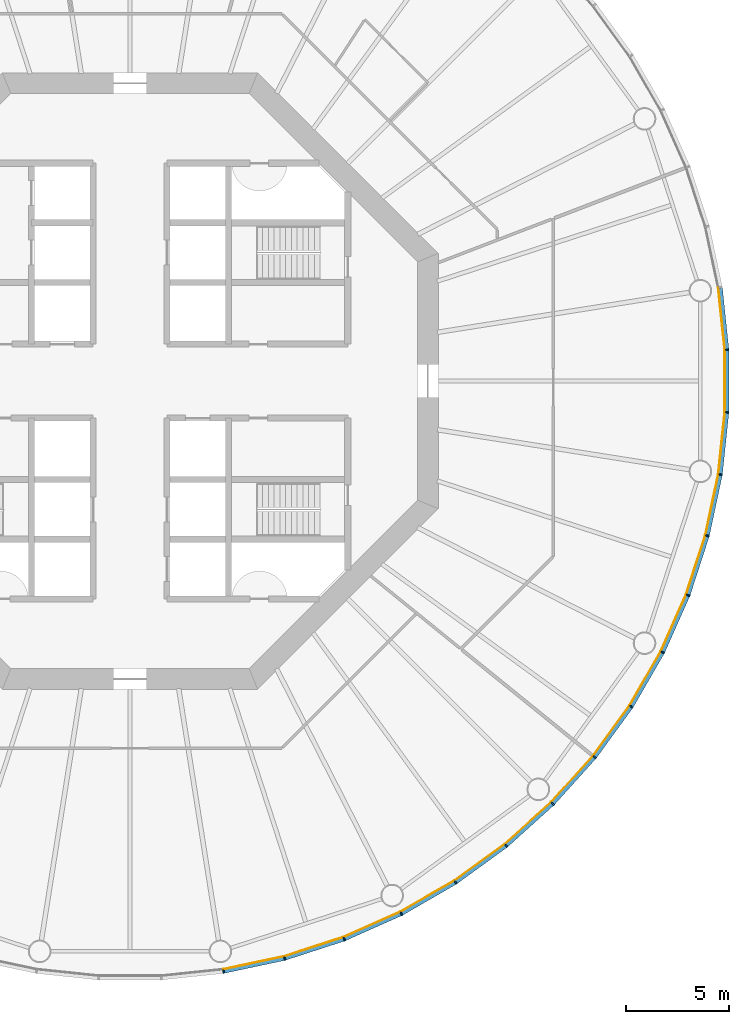
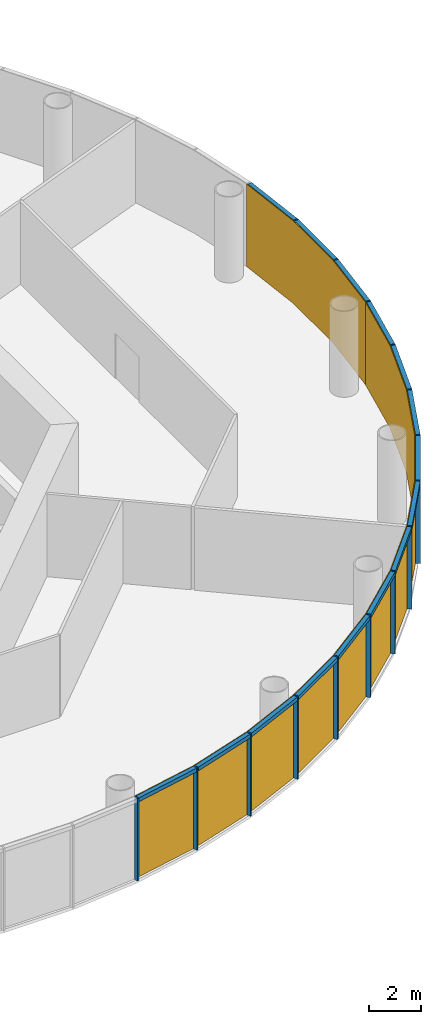
# One storey, part 8 of 12: 30 members, 5 curtain walls.
"""IFC4 building model written with IfcOpenShell, lengths in metres."""

from ifc_helpers import new_model, si_unit, direction, frame, origin, origin_2d, place, context, subcontext, project, spatial, polyline, rectangle, outline, extrude, material, layer, layer_set, material_profile, profile_set, type_object, element, aggregate, save


model = new_model("IFC4")

# Units and contexts
model_context = context("Model", 3, precision=1e-05, world=origin(), true_north=direction((0.0, 1.0)))
body_context = subcontext(model_context, "Body", "Model", "MODEL_VIEW")
ifc_project = project(units=[si_unit("LENGTHUNIT", "METRE"), si_unit("AREAUNIT", "SQUARE_METRE"), si_unit("VOLUMEUNIT", "CUBIC_METRE"), si_unit("PLANEANGLEUNIT", "RADIAN"), si_unit("MASSUNIT", "GRAM", prefix="KILO")], contexts=[model_context])

# Member
ifc_material_1 = material(Name="Anodised aluminium", Category="aluminium")
ifc_material_profile_1 = material_profile(ifc_material_1, rectangle(XDim=0.06494140625, YDim=0.18505859375, at=origin_2d()), Name="Mullion 65 x 185 mm anodised aluminium")
ifc_profile_set_1 = profile_set([ifc_material_profile_1], Name="Anodised aluminium")
member_type_1 = type_object("IfcMemberType", Name="Mullion 65 x 185 mm anodised aluminium", PredefinedType="MULLION", material=ifc_profile_set_1)
site_placement = place(None, origin())
building_placement = place(site_placement, origin())
storey_placement = place(building_placement, frame((0.0, 0.0, 148.0)))
member_1_placement = place(storey_placement, frame((94.551025390625, 51.265625, 0.0), z_axis=(0.0, 0.0, 1.0), x_axis=(0.987688340595, 0.15643446504, 0.0)))
member_1 = element("IfcMember", 1, at=member_1_placement, type_object=member_type_1, Name="MULLION L33-45", PredefinedType="MULLION", context=body_context, shape_type="SweptSolid", body=[
    extrude(rectangle(XDim=0.06494140625, YDim=0.18505859375, at=origin_2d()), origin(), (0.0, 0.0, 1.0), 3.85009765625),
])

member_2_placement = place(storey_placement, frame((97.52978515625, 51.898681640625, 0.0), z_axis=(0.0, 0.0, 1.0), x_axis=(0.965925826289, 0.258819045103, 0.0)))
member_2 = element("IfcMember", 2, at=member_2_placement, type_object=member_type_1, Name="MULLION L33-46", PredefinedType="MULLION", context=body_context, shape_type="SweptSolid", body=[
    extrude(rectangle(XDim=0.06494140625, YDim=0.18505859375, at=origin_2d()), origin(), (0.0, 0.0, 1.0), 3.85009765625),
])

member_3_placement = place(storey_placement, frame((100.42578125, 52.83984375, 0.0), z_axis=(0.0, 0.0, 1.0), x_axis=(0.933580426497, 0.358367949545, 0.0)))
member_3 = element("IfcMember", 3, at=member_3_placement, type_object=member_type_1, Name="MULLION L33-47", PredefinedType="MULLION", context=body_context, shape_type="SweptSolid", body=[
    extrude(rectangle(XDim=0.06494140625, YDim=0.18505859375, at=origin_2d()), origin(), (0.0, 0.0, 1.0), 3.85009765625),
])

member_4_placement = place(storey_placement, frame((103.207763671875, 54.078369140625, 0.0), z_axis=(0.0, 0.0, 1.0), x_axis=(0.891006524188, 0.45399049974, 0.0)))
member_4 = element("IfcMember", 4, at=member_4_placement, type_object=member_type_1, Name="MULLION L33-48", PredefinedType="MULLION", context=body_context, shape_type="SweptSolid", body=[
    extrude(rectangle(XDim=0.06494140625, YDim=0.18505859375, at=origin_2d()), origin(), (0.0, 0.0, 1.0), 3.85009765625),
])

member_5_placement = place(storey_placement, frame((105.844970703125, 55.60107421875, 0.0), z_axis=(0.0, 0.0, 1.0), x_axis=(0.838670567945, 0.544639035015, 0.0)))
member_5 = element("IfcMember", 5, at=member_5_placement, type_object=member_type_1, Name="MULLION L33-49", PredefinedType="MULLION", context=body_context, shape_type="SweptSolid", body=[
    extrude(rectangle(XDim=0.06494140625, YDim=0.18505859375, at=origin_2d()), origin(), (0.0, 0.0, 1.0), 3.85009765625),
])

member_6_placement = place(storey_placement, frame((108.30859375, 57.390869140625, 0.0), z_axis=(0.0, 0.0, 1.0), x_axis=(0.777145961457, 0.62932039105, 0.0)))
member_6 = element("IfcMember", 6, at=member_6_placement, type_object=member_type_1, Name="MULLION L33-50", PredefinedType="MULLION", context=body_context, shape_type="SweptSolid", body=[
    extrude(rectangle(XDim=0.06494140625, YDim=0.18505859375, at=origin_2d()), origin(), (0.0, 0.0, 1.0), 3.85009765625),
])

member_7_placement = place(storey_placement, frame((110.571533203125, 59.428466796875, 0.0), z_axis=(0.0, 0.0, 1.0), x_axis=(0.707106781187, 0.707106781187, 0.0)))
member_7 = element("IfcMember", 7, at=member_7_placement, type_object=member_type_1, Name="MULLION L33-51", PredefinedType="MULLION", context=body_context, shape_type="SweptSolid", body=[
    extrude(rectangle(XDim=0.06494140625, YDim=0.18505859375, at=origin_2d()), origin(), (0.0, 0.0, 1.0), 3.85009765625),
])

member_8_placement = place(storey_placement, frame((112.609130859375, 61.69140625, 0.0), z_axis=(0.0, 0.0, 1.0), x_axis=(0.62932039105, 0.777145961457, 0.0)))
member_8 = element("IfcMember", 8, at=member_8_placement, type_object=member_type_1, Name="MULLION L33-52", PredefinedType="MULLION", context=body_context, shape_type="SweptSolid", body=[
    extrude(rectangle(XDim=0.06494140625, YDim=0.18505859375, at=origin_2d()), origin(), (0.0, 0.0, 1.0), 3.85009765625),
])

member_9_placement = place(storey_placement, frame((114.39892578125, 64.155029296875, 0.0), z_axis=(0.0, 0.0, 1.0), x_axis=(0.544639035015, 0.838670567945, 0.0)))
member_9 = element("IfcMember", 9, at=member_9_placement, type_object=member_type_1, Name="MULLION L33-53", PredefinedType="MULLION", context=body_context, shape_type="SweptSolid", body=[
    extrude(rectangle(XDim=0.06494140625, YDim=0.18505859375, at=origin_2d()), origin(), (0.0, 0.0, 1.0), 3.85009765625),
])

member_10_placement = place(storey_placement, frame((115.921630859375, 66.792236328125, 0.0), z_axis=(0.0, 0.0, 1.0), x_axis=(0.45399049974, 0.891006524188, 0.0)))
member_10 = element("IfcMember", 10, at=member_10_placement, type_object=member_type_1, Name="MULLION L33-54", PredefinedType="MULLION", context=body_context, shape_type="SweptSolid", body=[
    extrude(rectangle(XDim=0.06494140625, YDim=0.18505859375, at=origin_2d()), origin(), (0.0, 0.0, 1.0), 3.85009765625),
])

member_11_placement = place(storey_placement, frame((117.16015625, 69.57421875, 0.0), z_axis=(0.0, 0.0, 1.0), x_axis=(0.358367949545, 0.933580426497, 0.0)))
member_11 = element("IfcMember", 11, at=member_11_placement, type_object=member_type_1, Name="MULLION L33-55", PredefinedType="MULLION", context=body_context, shape_type="SweptSolid", body=[
    extrude(rectangle(XDim=0.06494140625, YDim=0.18505859375, at=origin_2d()), origin(), (0.0, 0.0, 1.0), 3.85009765625),
])

member_12_placement = place(storey_placement, frame((118.101318359375, 72.47021484375, 0.0), z_axis=(0.0, 0.0, 1.0), x_axis=(0.258819045103, 0.965925826289, 0.0)))
member_12 = element("IfcMember", 12, at=member_12_placement, type_object=member_type_1, Name="MULLION L33-56", PredefinedType="MULLION", context=body_context, shape_type="SweptSolid", body=[
    extrude(rectangle(XDim=0.06494140625, YDim=0.18505859375, at=origin_2d()), origin(), (0.0, 0.0, 1.0), 3.85009765625),
])

member_13_placement = place(storey_placement, frame((118.734375, 75.448974609375, 0.0), z_axis=(0.0, 0.0, 1.0), x_axis=(0.15643446504, 0.987688340595, 0.0)))
member_13 = element("IfcMember", 13, at=member_13_placement, type_object=member_type_1, Name="MULLION L33-57", PredefinedType="MULLION", context=body_context, shape_type="SweptSolid", body=[
    extrude(rectangle(XDim=0.06494140625, YDim=0.18505859375, at=origin_2d()), origin(), (0.0, 0.0, 1.0), 3.85009765625),
])

member_14_placement = place(storey_placement, frame((119.052734375, 78.477294921875, 0.0), z_axis=(0.0, 0.0, 1.0), x_axis=(0.052335956243, 0.998629534755, 0.0)))
member_14 = element("IfcMember", 14, at=member_14_placement, type_object=member_type_1, Name="MULLION L33-58", PredefinedType="MULLION", context=body_context, shape_type="SweptSolid", body=[
    extrude(rectangle(XDim=0.06494140625, YDim=0.18505859375, at=origin_2d()), origin(), (0.0, 0.0, 1.0), 3.85009765625),
])

member_15_placement = place(storey_placement, frame((119.052734375, 81.522705078125, 0.0), z_axis=(0.0, 0.0, 1.0), x_axis=(-0.052335956243, 0.998629534755, 0.0)))
member_15 = element("IfcMember", 15, at=member_15_placement, type_object=member_type_1, Name="MULLION L33-59", PredefinedType="MULLION", context=body_context, shape_type="SweptSolid", body=[
    extrude(rectangle(XDim=0.06494140625, YDim=0.18505859375, at=origin_2d()), origin(), (0.0, 0.0, 1.0), 3.85009765625),
])

ifc_material_2 = material(Name="Anodised aluminium", Category="aluminium")
ifc_material_profile_2 = material_profile(ifc_material_2, rectangle(XDim=0.18505859375, YDim=0.175048828125, at=origin_2d()), Name="Transom 175 x 185 mm anodised aluminium")
ifc_profile_set_2 = profile_set([ifc_material_profile_2], Name="Anodised aluminium")
member_type_2 = type_object("IfcMemberType", Name="Transom 175 x 185 mm anodised aluminium", PredefinedType="USERDEFINED", material=ifc_profile_set_2)
member_16_placement = place(storey_placement, frame((94.587646484375, 51.2734375, 3.762451171875), z_axis=(0.97815822425, 0.207861704825, 0.0), x_axis=(-0.207861704825, 0.97815822425, 0.0)))
member_16 = element("IfcMember", 16, at=member_16_placement, type_object=member_type_2, Name="TRANSOM L33-45", ObjectType="TRANSOM", PredefinedType="USERDEFINED", context=body_context, shape_type="SweptSolid", body=[
    extrude(rectangle(XDim=0.18505859375, YDim=0.175048828125, at=origin_2d()), origin(), (0.0, 0.0, 1.0), 2.970458984375),
])

member_17_placement = place(storey_placement, frame((97.565185546875, 51.91015625, 3.762451171875), z_axis=(0.951055809184, 0.30901917063, 0.0), x_axis=(-0.30901917063, 0.951055809184, 0.0)))
member_17 = element("IfcMember", 17, at=member_17_placement, type_object=member_type_2, Name="TRANSOM L33-46", ObjectType="TRANSOM", PredefinedType="USERDEFINED", context=body_context, shape_type="SweptSolid", body=[
    extrude(rectangle(XDim=0.18505859375, YDim=0.175048828125, at=origin_2d()), origin(), (0.0, 0.0, 1.0), 2.970703125),
])

member_18_placement = place(storey_placement, frame((100.4599609375, 52.85498046875, 3.762451171875), z_axis=(0.913567348806, 0.406687471156, 0.0), x_axis=(-0.406687471156, 0.913567348806, 0.0)))
member_18 = element("IfcMember", 18, at=member_18_placement, type_object=member_type_2, Name="TRANSOM L33-47", ObjectType="TRANSOM", PredefinedType="USERDEFINED", context=body_context, shape_type="SweptSolid", body=[
    extrude(rectangle(XDim=0.18505859375, YDim=0.175048828125, at=origin_2d()), origin(), (0.0, 0.0, 1.0), 2.970458984375),
])

member_19_placement = place(storey_placement, frame((103.240234375, 54.096923828125, 3.762451171875), z_axis=(0.866009025146, 0.500028367561, 0.0), x_axis=(-0.500028367561, 0.866009025146, 0.0)))
member_19 = element("IfcMember", 19, at=member_19_placement, type_object=member_type_2, Name="TRANSOM L33-48", ObjectType="TRANSOM", PredefinedType="USERDEFINED", context=body_context, shape_type="SweptSolid", body=[
    extrude(rectangle(XDim=0.18505859375, YDim=0.175048828125, at=origin_2d()), origin(), (0.0, 0.0, 1.0), 2.970458984375),
])

member_20_placement = place(storey_placement, frame((105.875244140625, 55.622802734375, 3.762451171875), z_axis=(0.808991906087, 0.587819781808, 0.0), x_axis=(-0.587819781808, 0.808991906087, 0.0)))
member_20 = element("IfcMember", 20, at=member_20_placement, type_object=member_type_2, Name="TRANSOM L33-49", ObjectType="TRANSOM", PredefinedType="USERDEFINED", context=body_context, shape_type="SweptSolid", body=[
    extrude(rectangle(XDim=0.18505859375, YDim=0.175048828125, at=origin_2d()), origin(), (0.0, 0.0, 1.0), 2.970458984375),
])

member_21_placement = place(storey_placement, frame((108.33642578125, 57.415771484375, 3.762451171875), z_axis=(0.743163354343, 0.669110027395, 0.0), x_axis=(-0.669110027395, 0.743163354343, 0.0)))
member_21 = element("IfcMember", 21, at=member_21_placement, type_object=member_type_2, Name="TRANSOM L33-50", ObjectType="TRANSOM", PredefinedType="USERDEFINED", context=body_context, shape_type="SweptSolid", body=[
    extrude(rectangle(XDim=0.18505859375, YDim=0.175048828125, at=origin_2d()), origin(), (0.0, 0.0, 1.0), 2.970458984375),
])

member_22_placement = place(storey_placement, frame((110.5966796875, 59.4560546875, 3.762451171875), z_axis=(0.669110027395, 0.743163354343, 0.0), x_axis=(-0.743163354343, 0.669110027395, 0.0)))
member_22 = element("IfcMember", 22, at=member_22_placement, type_object=member_type_2, Name="TRANSOM L33-51", ObjectType="TRANSOM", PredefinedType="USERDEFINED", context=body_context, shape_type="SweptSolid", body=[
    extrude(rectangle(XDim=0.18505859375, YDim=0.175048828125, at=origin_2d()), origin(), (0.0, 0.0, 1.0), 2.970458984375),
])

member_23_placement = place(storey_placement, frame((112.631103515625, 61.7216796875, 3.762451171875), z_axis=(0.587819781808, 0.808991906087, 0.0), x_axis=(-0.808991906087, 0.587819781808, 0.0)))
member_23 = element("IfcMember", 23, at=member_23_placement, type_object=member_type_2, Name="TRANSOM L33-52", ObjectType="TRANSOM", PredefinedType="USERDEFINED", context=body_context, shape_type="SweptSolid", body=[
    extrude(rectangle(XDim=0.18505859375, YDim=0.175048828125, at=origin_2d()), origin(), (0.0, 0.0, 1.0), 2.970458984375),
])

member_24_placement = place(storey_placement, frame((114.417724609375, 64.187255859375, 3.762451171875), z_axis=(0.500028367561, 0.866009025146, 0.0), x_axis=(-0.866009025146, 0.500028367561, 0.0)))
member_24 = element("IfcMember", 24, at=member_24_placement, type_object=member_type_2, Name="TRANSOM L33-53", ObjectType="TRANSOM", PredefinedType="USERDEFINED", context=body_context, shape_type="SweptSolid", body=[
    extrude(rectangle(XDim=0.18505859375, YDim=0.175048828125, at=origin_2d()), origin(), (0.0, 0.0, 1.0), 2.970458984375),
])

member_25_placement = place(storey_placement, frame((115.93701171875, 66.826416015625, 3.762451171875), z_axis=(0.406687471156, 0.913567348806, 0.0), x_axis=(-0.913567348806, 0.406687471156, 0.0)))
member_25 = element("IfcMember", 25, at=member_25_placement, type_object=member_type_2, Name="TRANSOM L33-54", ObjectType="TRANSOM", PredefinedType="USERDEFINED", context=body_context, shape_type="SweptSolid", body=[
    extrude(rectangle(XDim=0.18505859375, YDim=0.175048828125, at=origin_2d()), origin(), (0.0, 0.0, 1.0), 2.970458984375),
])

member_26_placement = place(storey_placement, frame((117.171875, 69.609619140625, 3.762451171875), z_axis=(0.30901917063, 0.951055809184, 0.0), x_axis=(-0.951055809184, 0.30901917063, 0.0)))
member_26 = element("IfcMember", 26, at=member_26_placement, type_object=member_type_2, Name="TRANSOM L33-55", ObjectType="TRANSOM", PredefinedType="USERDEFINED", context=body_context, shape_type="SweptSolid", body=[
    extrude(rectangle(XDim=0.18505859375, YDim=0.175048828125, at=origin_2d()), origin(), (0.0, 0.0, 1.0), 2.970703125),
])

member_27_placement = place(storey_placement, frame((118.109130859375, 72.5068359375, 3.762451171875), z_axis=(0.207861704825, 0.97815822425, 0.0), x_axis=(-0.97815822425, 0.207861704825, 0.0)))
member_27 = element("IfcMember", 27, at=member_27_placement, type_object=member_type_2, Name="TRANSOM L33-56", ObjectType="TRANSOM", PredefinedType="USERDEFINED", context=body_context, shape_type="SweptSolid", body=[
    extrude(rectangle(XDim=0.18505859375, YDim=0.175048828125, at=origin_2d()), origin(), (0.0, 0.0, 1.0), 2.970458984375),
])

member_28_placement = place(storey_placement, frame((118.73828125, 75.486083984375, 3.762451171875), z_axis=(0.104547872381, 0.994519855197, 0.0), x_axis=(-0.994519855197, 0.104547872381, 0.0)))
member_28 = element("IfcMember", 28, at=member_28_placement, type_object=member_type_2, Name="TRANSOM L33-57", ObjectType="TRANSOM", PredefinedType="USERDEFINED", context=body_context, shape_type="SweptSolid", body=[
    extrude(rectangle(XDim=0.18505859375, YDim=0.175048828125, at=origin_2d()), origin(), (0.0, 0.0, 1.0), 2.970458984375),
])

member_29_placement = place(storey_placement, frame((119.052734375, 78.5146484375, 3.762451171875), z_axis=(0.0, 1.0, 0.0), x_axis=(-1.0, 0.0, 0.0)))
member_29 = element("IfcMember", 29, at=member_29_placement, type_object=member_type_2, Name="TRANSOM L33-58", ObjectType="TRANSOM", PredefinedType="USERDEFINED", context=body_context, shape_type="SweptSolid", body=[
    extrude(rectangle(XDim=0.18505859375, YDim=0.175048828125, at=origin_2d()), origin(), (0.0, 0.0, 1.0), 2.970703125),
])

member_30_placement = place(storey_placement, frame((119.048828125, 81.559814453125, 3.762451171875), z_axis=(-0.104547872381, 0.994519855197, 0.0), x_axis=(-0.994519855197, -0.104547872381, 0.0)))
member_30 = element("IfcMember", 30, at=member_30_placement, type_object=member_type_2, Name="TRANSOM L33-59", ObjectType="TRANSOM", PredefinedType="USERDEFINED", context=body_context, shape_type="SweptSolid", body=[
    extrude(rectangle(XDim=0.18505859375, YDim=0.175048828125, at=origin_2d()), origin(), (0.0, 0.0, 1.0), 2.970458984375),
])

# Site, building, storey
site = spatial("IfcSite", under=ifc_project, at=site_placement, CompositionType="ELEMENT")
building = spatial("IfcBuilding", under=site, at=building_placement, Name="Entoto Ring Tower", CompositionType="ELEMENT")
storey = spatial("IfcBuildingStorey", under=building, at=storey_placement, Name="L33", CompositionType="ELEMENT", Elevation=148.0)

# Curtain wall
ifc_material_3 = material(Name="Clear low-iron glass", Category="glass")
ifc_layer = layer(ifc_material_3, 0.033935546875)
ifc_layer_set = layer_set([ifc_layer], Name="Clear low-iron glass")
curtain_wall_type = type_object("IfcCurtainWallType", Name="Curtain wall system CW3 glazing 34 mm", PredefinedType="NOTDEFINED", material=ifc_layer_set)
curtain_wall_1_placement = place(storey_placement, origin())
curtain_wall_1 = element("IfcCurtainWall", 31, at=curtain_wall_1_placement, inside=storey, type_object=curtain_wall_type, Name="CW3 L33-16", PredefinedType="NOTDEFINED", context=body_context, shape_type="SweptSolid", body=[
    extrude(outline(polyline([(94.53662109375, 51.35693359375), (97.505859375, 51.988037109375), (100.392578125, 52.92626953125), (103.165771484375, 54.160888671875), (103.150146484375, 54.191162109375), (100.38037109375, 52.9580078125), (97.496826171875, 52.02099609375), (94.53125, 51.390625), (94.53662109375, 51.35693359375)])), origin(), (0.0, 0.0, 1.0), 3.85009765625),
])

aggregate(curtain_wall_1, [member_1, member_2, member_3, member_16, member_17, member_18])

curtain_wall_2_placement = place(storey_placement, origin())
curtain_wall_2 = element("IfcCurtainWall", 32, at=curtain_wall_2_placement, inside=storey, type_object=curtain_wall_type, Name="CW3 L33-17", PredefinedType="NOTDEFINED", context=body_context, shape_type="SweptSolid", body=[
    extrude(outline(polyline([(103.165771484375, 54.160888671875), (105.79443359375, 55.678466796875), (108.250244140625, 57.462646484375), (110.506103515625, 59.493896484375), (110.48193359375, 59.51806640625), (108.228759765625, 57.4892578125), (105.77587890625, 55.70703125), (103.150146484375, 54.191162109375), (103.165771484375, 54.160888671875)])), origin(), (0.0, 0.0, 1.0), 3.85009765625),
])

aggregate(curtain_wall_2, [member_4, member_5, member_6, member_19, member_20, member_21])

curtain_wall_3_placement = place(storey_placement, origin())
curtain_wall_3 = element("IfcCurtainWall", 33, at=curtain_wall_3_placement, inside=storey, type_object=curtain_wall_type, Name="CW3 L33-18", PredefinedType="NOTDEFINED", context=body_context, shape_type="SweptSolid", body=[
    extrude(outline(polyline([(110.506103515625, 59.493896484375), (112.537353515625, 61.749755859375), (114.321533203125, 64.20556640625), (115.839111328125, 66.834228515625), (115.808837890625, 66.849853515625), (114.29296875, 64.22412109375), (112.5107421875, 61.771240234375), (110.48193359375, 59.51806640625), (110.506103515625, 59.493896484375)])), origin(), (0.0, 0.0, 1.0), 3.85009765625),
])

aggregate(curtain_wall_3, [member_7, member_8, member_9, member_22, member_23, member_24])

curtain_wall_4_placement = place(storey_placement, origin())
curtain_wall_4 = element("IfcCurtainWall", 34, at=curtain_wall_4_placement, inside=storey, type_object=curtain_wall_type, Name="CW3 L33-19", PredefinedType="NOTDEFINED", context=body_context, shape_type="SweptSolid", body=[
    extrude(outline(polyline([(115.839111328125, 66.834228515625), (117.07373046875, 69.607421875), (118.011962890625, 72.494140625), (118.64306640625, 75.46337890625), (118.609375, 75.46875), (117.97900390625, 72.503173828125), (117.0419921875, 69.61962890625), (115.808837890625, 66.849853515625), (115.839111328125, 66.834228515625)])), origin(), (0.0, 0.0, 1.0), 3.85009765625),
])

aggregate(curtain_wall_4, [member_10, member_11, member_12, member_25, member_26, member_27])

curtain_wall_5_placement = place(storey_placement, origin())
curtain_wall_5 = element("IfcCurtainWall", 35, at=curtain_wall_5_placement, inside=storey, type_object=curtain_wall_type, Name="CW3 L33-20", PredefinedType="NOTDEFINED", context=body_context, shape_type="SweptSolid", body=[
    extrude(outline(polyline([(118.64306640625, 75.46337890625), (118.960205078125, 78.482177734375), (118.960205078125, 81.517822265625), (118.64306640625, 84.53662109375), (118.609375, 84.53125), (118.92626953125, 81.515869140625), (118.92626953125, 78.484130859375), (118.609375, 75.46875), (118.64306640625, 75.46337890625)])), origin(), (0.0, 0.0, 1.0), 3.85009765625),
])

aggregate(curtain_wall_5, [member_13, member_14, member_15, member_28, member_29, member_30])

save(model, "model.ifc")
